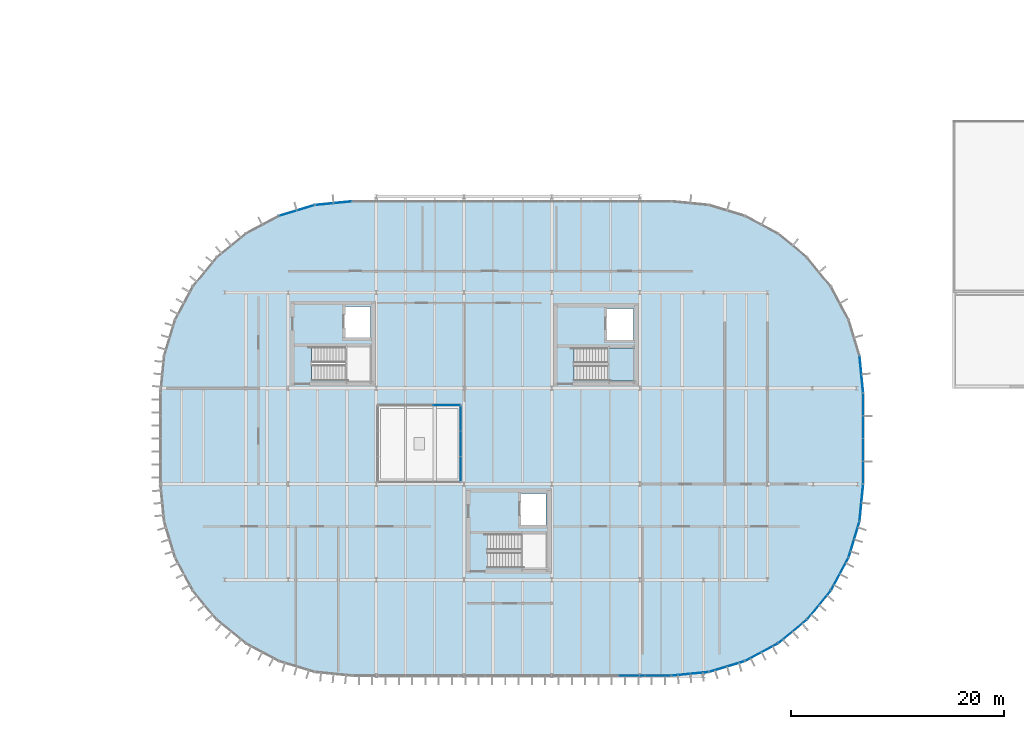
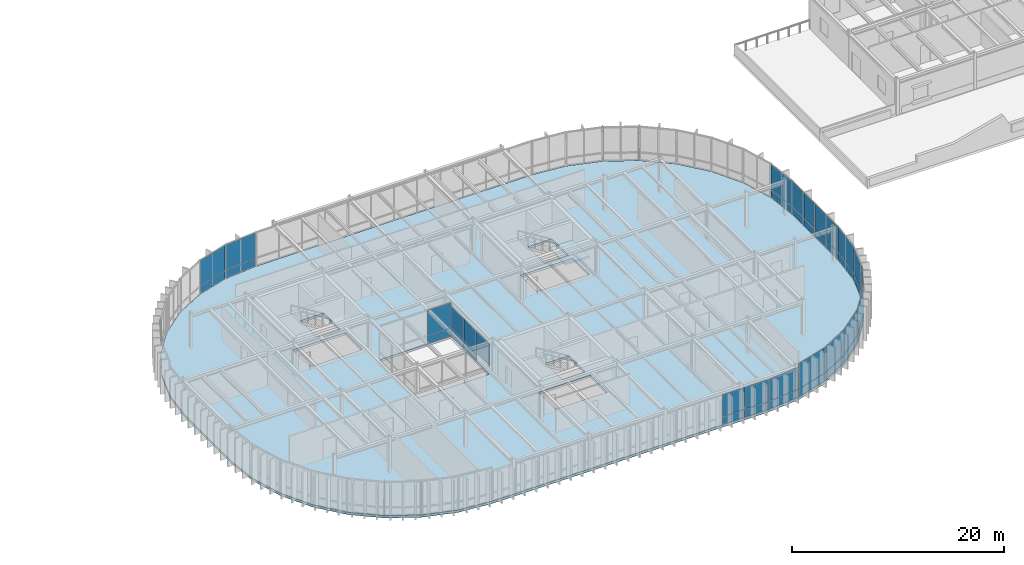
# One storey, part 18 of 31: 41 plates, 2 slabs, 6 openings, 16 elements without a shape of their own.
"""IFC4 building model written with IfcOpenShell, lengths in metres."""

from ifc_helpers import new_model, si_unit, direction, frame, origin, origin_2d, place, context, subcontext, project, spatial, polyline, rectangle, outline, extrude, material, layer, layer_set, type_object, element, aggregate, save


model = new_model("IFC4")

# Units and contexts
model_context = context("Model", 3, precision=1e-05, world=origin(), true_north=direction((0.0, 1.0)))
body_context = subcontext(model_context, "Body", "Model", "MODEL_VIEW")
ifc_project = project(units=[si_unit("LENGTHUNIT", "METRE"), si_unit("AREAUNIT", "SQUARE_METRE"), si_unit("VOLUMEUNIT", "CUBIC_METRE"), si_unit("PLANEANGLEUNIT", "RADIAN"), si_unit("MASSUNIT", "GRAM", prefix="KILO")], contexts=[model_context])

# Site, building, storey
site_placement = place(None, origin())
site = spatial("IfcSite", under=ifc_project, at=site_placement, CompositionType="ELEMENT")
building_placement = place(site_placement, origin())
building = spatial("IfcBuilding", under=site, at=building_placement, Name="Montealbar Specialist Clinic", CompositionType="ELEMENT")
storey_placement = place(building_placement, frame((0.0, 0.0, 13.800048828125)))
storey = spatial("IfcBuildingStorey", under=building, at=storey_placement, Name="L03", CompositionType="ELEMENT", Elevation=13.800048828125)

# Curtain wall, plates
ifc_material_1 = material(Name="Low-E double glazing", Category="glass")
ifc_layer_1 = layer(ifc_material_1, 0.199951171875, Name="Low-E double glazing", Category="glass")
ifc_layer_set_1 = layer_set([ifc_layer_1], Name="Low-E double glazing")
curtain_wall_type_1 = type_object("IfcCurtainWallType", Name="CW-TYPE-24", PredefinedType="NOTDEFINED", material=ifc_layer_set_1)
curtain_wall_1_placement = place(storey_placement, origin())
curtain_wall_1 = element("IfcCurtainWall", 1, at=curtain_wall_1_placement, inside=storey, type_object=curtain_wall_type_1, Name="Unitised Curtain Wall CW-L03-822-182-822-254-138", PredefinedType="NOTDEFINED")
ifc_layer_2 = layer(ifc_material_1, 0.028076171875, Name="Low-E double glazing", Category="glass")
ifc_layer_set_2 = layer_set([ifc_layer_2], Name="Low-E double glazing")
plate_type_1 = type_object("IfcPlateType", Name="CW-PNL-IGU28", PredefinedType="CURTAIN_PANEL", material=ifc_layer_set_2)
plate_1_placement = place(storey_placement, frame((82.199951171875, 19.39990234375, 0.97998046875), z_axis=(0.0, 0.0, 1.0), x_axis=(0.0, 1.0, 0.0)))
plate_1 = element("IfcPlate", 2, at=plate_1_placement, type_object=plate_type_1, Name="Glazed Curtain Panel CW-L03-822-182-822-254-138-1-2", PredefinedType="CURTAIN_PANEL", context=body_context, shape_type="SweptSolid", body=[
    extrude(rectangle(XDim=2.327880859375, YDim=0.028076171875, at=origin_2d()), origin(), (0.0, 0.0, 1.0), 2.489990234375),
])
plate_2_placement = place(storey_placement, frame((82.199951171875, 21.800048828125, 0.06982421875), z_axis=(0.0, 0.0, 1.0), x_axis=(0.0, 1.0, 0.0)))
plate_2 = element("IfcPlate", 3, at=plate_2_placement, type_object=plate_type_1, Name="Glazed Curtain Panel CW-L03-822-182-822-254-138-2-1", PredefinedType="CURTAIN_PANEL", context=body_context, shape_type="SweptSolid", body=[
    extrude(rectangle(XDim=2.327880859375, YDim=0.028076171875, at=origin_2d()), origin(), (0.0, 0.0, 1.0), 0.85009765625),
])
plate_3_placement = place(storey_placement, frame((82.199951171875, 21.800048828125, 0.97998046875), z_axis=(0.0, 0.0, 1.0), x_axis=(0.0, 1.0, 0.0)))
plate_3 = element("IfcPlate", 4, at=plate_3_placement, type_object=plate_type_1, Name="Glazed Curtain Panel CW-L03-822-182-822-254-138-2-2", PredefinedType="CURTAIN_PANEL", context=body_context, shape_type="SweptSolid", body=[
    extrude(rectangle(XDim=2.327880859375, YDim=0.028076171875, at=origin_2d()), origin(), (0.0, 0.0, 1.0), 2.489990234375),
])
plate_4_placement = place(storey_placement, frame((82.199951171875, 24.199951171875, 0.06982421875), z_axis=(0.0, 0.0, 1.0), x_axis=(0.0, 1.0, 0.0)))
plate_4 = element("IfcPlate", 5, at=plate_4_placement, type_object=plate_type_1, Name="Glazed Curtain Panel CW-L03-822-182-822-254-138-3-1", PredefinedType="CURTAIN_PANEL", context=body_context, shape_type="SweptSolid", body=[
    extrude(rectangle(XDim=2.327880859375, YDim=0.028076171875, at=origin_2d()), origin(), (0.0, 0.0, 1.0), 0.85009765625),
])
plate_5_placement = place(storey_placement, frame((82.199951171875, 24.199951171875, 0.97998046875), z_axis=(0.0, 0.0, 1.0), x_axis=(0.0, 1.0, 0.0)))
plate_5 = element("IfcPlate", 6, at=plate_5_placement, type_object=plate_type_1, Name="Glazed Curtain Panel CW-L03-822-182-822-254-138-3-2", PredefinedType="CURTAIN_PANEL", context=body_context, shape_type="SweptSolid", body=[
    extrude(rectangle(XDim=2.327880859375, YDim=0.028076171875, at=origin_2d()), origin(), (0.0, 0.0, 1.0), 2.489990234375),
])
aggregate(curtain_wall_1, [plate_1, plate_2, plate_3, plate_4, plate_5])

ifc_layer_3 = layer(ifc_material_1, 0.199951171875, Name="Low-E double glazing", Category="glass")
ifc_layer_set_3 = layer_set([ifc_layer_3], Name="Low-E double glazing")
curtain_wall_type_2 = type_object("IfcCurtainWallType", Name="CW-TYPE-25", PredefinedType="NOTDEFINED", material=ifc_layer_set_3)
curtain_wall_2_placement = place(storey_placement, origin())
curtain_wall_2 = element("IfcCurtainWall", 7, at=curtain_wall_2_placement, inside=storey, type_object=curtain_wall_type_2, Name="Unitised Curtain Wall CW-L03-822-254-744-254-138", PredefinedType="NOTDEFINED")
plate_6_placement = place(storey_placement, frame((80.89990234375, 25.39990234375, 0.06982421875), z_axis=(0.0, 0.0, 1.0), x_axis=(-1.0, 0.0, 0.0)))
plate_6 = element("IfcPlate", 8, at=plate_6_placement, type_object=plate_type_1, Name="Glazed Curtain Panel CW-L03-822-254-744-254-138-1-1", PredefinedType="CURTAIN_PANEL", context=body_context, shape_type="SweptSolid", body=[
    extrude(rectangle(XDim=2.528076171875, YDim=0.028076171875, at=origin_2d()), origin(), (0.0, 0.0, 1.0), 0.85009765625),
])
plate_7_placement = place(storey_placement, frame((80.89990234375, 25.39990234375, 0.97998046875), z_axis=(0.0, 0.0, 1.0), x_axis=(-1.0, 0.0, 0.0)))
plate_7 = element("IfcPlate", 9, at=plate_7_placement, type_object=plate_type_1, Name="Glazed Curtain Panel CW-L03-822-254-744-254-138-1-2", PredefinedType="CURTAIN_PANEL", context=body_context, shape_type="SweptSolid", body=[
    extrude(rectangle(XDim=2.528076171875, YDim=0.028076171875, at=origin_2d()), origin(), (0.0, 0.0, 1.0), 2.889892578125),
])
aggregate(curtain_wall_2, [plate_6, plate_7])

ifc_layer_4 = layer(ifc_material_1, 0.199951171875, Name="Low-E double glazing", Category="glass")
ifc_layer_set_4 = layer_set([ifc_layer_4], Name="Low-E double glazing")
curtain_wall_type_3 = type_object("IfcCurtainWallType", Name="CW-TYPE-19", PredefinedType="NOTDEFINED", material=ifc_layer_set_4)
curtain_wall_3_placement = place(storey_placement, origin())
curtain_wall_3 = element("IfcCurtainWall", 10, at=curtain_wall_3_placement, inside=storey, type_object=curtain_wall_type_3, Name="Unitised Curtain Wall CW-L03-651-432-685-442-138", PredefinedType="NOTDEFINED")
ifc_layer_5 = layer(ifc_material_1, 0.0380859375, Name="Low-E double glazing", Category="glass")
ifc_layer_set_5 = layer_set([ifc_layer_5], Name="Low-E double glazing")
plate_type_2 = type_object("IfcPlateType", Name="CW-PNL-IGU38", PredefinedType="CURTAIN_PANEL", material=ifc_layer_set_5)
plate_8_placement = place(storey_placement, frame((66.800048828125, 43.69189453125, 0.06982421875), z_axis=(0.0, 0.0, 1.0), x_axis=(0.956948083701, 0.290259134399, 0.0)))
plate_8 = element("IfcPlate", 11, at=plate_8_placement, type_object=plate_type_2, Name="Glazed Curtain Panel CW-L03-651-432-685-442-138-1-1", PredefinedType="CURTAIN_PANEL", context=body_context, shape_type="SweptSolid", body=[
    extrude(rectangle(XDim=3.444091796875, YDim=0.0380859375, at=origin_2d()), origin(), (0.0, 0.0, 1.0), 0.85009765625),
])
plate_9_placement = place(storey_placement, frame((66.800048828125, 43.69189453125, 0.97998046875), z_axis=(0.0, 0.0, 1.0), x_axis=(0.956948083701, 0.290259134399, 0.0)))
plate_9 = element("IfcPlate", 12, at=plate_9_placement, type_object=plate_type_2, Name="Glazed Curtain Panel CW-L03-651-432-685-442-138-1-2", PredefinedType="CURTAIN_PANEL", context=body_context, shape_type="SweptSolid", body=[
    extrude(rectangle(XDim=3.444091796875, YDim=0.0380859375, at=origin_2d()), origin(), (0.0, 0.0, 1.0), 2.889892578125),
])
aggregate(curtain_wall_3, [plate_8, plate_9])

curtain_wall_4_placement = place(storey_placement, origin())
curtain_wall_4 = element("IfcCurtainWall", 13, at=curtain_wall_4_placement, inside=storey, type_object=curtain_wall_type_3, Name="Unitised Curtain Wall CW-L03-685-442-720-446-138", PredefinedType="NOTDEFINED")
plate_10_placement = place(storey_placement, frame((70.243896484375, 44.376953125, 0.06982421875), z_axis=(0.0, 0.0, 1.0), x_axis=(0.995182012183, 0.098044697094, 0.0)))
plate_10 = element("IfcPlate", 14, at=plate_10_placement, type_object=plate_type_2, Name="Glazed Curtain Panel CW-L03-685-442-720-446-138-1-1", PredefinedType="CURTAIN_PANEL", context=body_context, shape_type="SweptSolid", body=[
    extrude(rectangle(XDim=3.445068359375, YDim=0.0380859375, at=origin_2d()), origin(), (0.0, 0.0, 1.0), 0.85009765625),
])
plate_11_placement = place(storey_placement, frame((70.243896484375, 44.376953125, 0.97998046875), z_axis=(0.0, 0.0, 1.0), x_axis=(0.995182012183, 0.098044697094, 0.0)))
plate_11 = element("IfcPlate", 15, at=plate_11_placement, type_object=plate_type_2, Name="Glazed Curtain Panel CW-L03-685-442-720-446-138-1-2", PredefinedType="CURTAIN_PANEL", context=body_context, shape_type="SweptSolid", body=[
    extrude(rectangle(XDim=3.445068359375, YDim=0.0380859375, at=origin_2d()), origin(), (0.0, 0.0, 1.0), 2.889892578125),
])
aggregate(curtain_wall_4, [plate_10, plate_11])

curtain_wall_5_placement = place(storey_placement, origin())
curtain_wall_5 = element("IfcCurtainWall", 16, at=curtain_wall_5_placement, inside=storey, type_object=curtain_wall_type_3, Name="Unitised Curtain Wall CW-L03-1197-301-1200-266-138", PredefinedType="NOTDEFINED")
plate_12_placement = place(storey_placement, frame((119.826904296875, 28.305908203125, 0.06982421875), z_axis=(0.0, 0.0, 1.0), x_axis=(0.098044697094, -0.995182012183, 0.0)))
plate_12 = element("IfcPlate", 17, at=plate_12_placement, type_object=plate_type_2, Name="Glazed Curtain Panel CW-L03-1197-301-1200-266-138-1-1", PredefinedType="CURTAIN_PANEL", context=body_context, shape_type="SweptSolid", body=[
    extrude(rectangle(XDim=3.445068359375, YDim=0.0380859375, at=origin_2d()), origin(), (0.0, 0.0, 1.0), 0.85009765625),
])
plate_13_placement = place(storey_placement, frame((119.826904296875, 28.305908203125, 0.97998046875), z_axis=(0.0, 0.0, 1.0), x_axis=(0.098044697094, -0.995182012183, 0.0)))
plate_13 = element("IfcPlate", 18, at=plate_13_placement, type_object=plate_type_2, Name="Glazed Curtain Panel CW-L03-1197-301-1200-266-138-1-2", PredefinedType="CURTAIN_PANEL", context=body_context, shape_type="SweptSolid", body=[
    extrude(rectangle(XDim=3.445068359375, YDim=0.0380859375, at=origin_2d()), origin(), (0.0, 0.0, 1.0), 2.889892578125),
])
aggregate(curtain_wall_5, [plate_12, plate_13])

ifc_layer_6 = layer(ifc_material_1, 0.199951171875, Name="Low-E double glazing", Category="glass")
ifc_layer_set_6 = layer_set([ifc_layer_6], Name="Low-E double glazing")
curtain_wall_type_4 = type_object("IfcCurtainWallType", Name="CW-TYPE-21", PredefinedType="NOTDEFINED", material=ifc_layer_set_6)
curtain_wall_6_placement = place(storey_placement, origin())
curtain_wall_6 = element("IfcCurtainWall", 19, at=curtain_wall_6_placement, inside=storey, type_object=curtain_wall_type_4, Name="Unitised Curtain Wall CW-L03-1200-266-1200-180-138", PredefinedType="NOTDEFINED")
plate_14_placement = place(storey_placement, frame((120.0, 25.48095703125, 0.06982421875), z_axis=(0.0, 0.0, 1.0), x_axis=(0.0, -1.0, 0.0)))
plate_14 = element("IfcPlate", 20, at=plate_14_placement, type_object=plate_type_2, Name="Glazed Curtain Panel CW-L03-1200-266-1200-180-138-1-1", PredefinedType="CURTAIN_PANEL", context=body_context, shape_type="SweptSolid", body=[
    extrude(rectangle(XDim=2.053955078125, YDim=0.0380859375, at=origin_2d()), origin(), (0.0, 0.0, 1.0), 0.85009765625),
])
plate_15_placement = place(storey_placement, frame((120.0, 25.48095703125, 0.97998046875), z_axis=(0.0, 0.0, 1.0), x_axis=(0.0, -1.0, 0.0)))
plate_15 = element("IfcPlate", 21, at=plate_15_placement, type_object=plate_type_2, Name="Glazed Curtain Panel CW-L03-1200-266-1200-180-138-1-2", PredefinedType="CURTAIN_PANEL", context=body_context, shape_type="SweptSolid", body=[
    extrude(rectangle(XDim=2.053955078125, YDim=0.0380859375, at=origin_2d()), origin(), (0.0, 0.0, 1.0), 2.889892578125),
])
plate_16_placement = place(storey_placement, frame((120.0, 23.343994140625, 0.06982421875), z_axis=(0.0, 0.0, 1.0), x_axis=(0.0, -1.0, 0.0)))
plate_16 = element("IfcPlate", 22, at=plate_16_placement, type_object=plate_type_2, Name="Glazed Curtain Panel CW-L03-1200-266-1200-180-138-2-1", PredefinedType="CURTAIN_PANEL", context=body_context, shape_type="SweptSolid", body=[
    extrude(rectangle(XDim=2.053955078125, YDim=0.0380859375, at=origin_2d()), origin(), (0.0, 0.0, 1.0), 0.85009765625),
])
plate_17_placement = place(storey_placement, frame((120.0, 23.343994140625, 0.97998046875), z_axis=(0.0, 0.0, 1.0), x_axis=(0.0, -1.0, 0.0)))
plate_17 = element("IfcPlate", 23, at=plate_17_placement, type_object=plate_type_2, Name="Glazed Curtain Panel CW-L03-1200-266-1200-180-138-2-2", PredefinedType="CURTAIN_PANEL", context=body_context, shape_type="SweptSolid", body=[
    extrude(rectangle(XDim=2.053955078125, YDim=0.0380859375, at=origin_2d()), origin(), (0.0, 0.0, 1.0), 2.889892578125),
])
plate_18_placement = place(storey_placement, frame((120.0, 21.2060546875, 0.06982421875), z_axis=(0.0, 0.0, 1.0), x_axis=(0.0, -1.0, 0.0)))
plate_18 = element("IfcPlate", 24, at=plate_18_placement, type_object=plate_type_2, Name="Glazed Curtain Panel CW-L03-1200-266-1200-180-138-3-1", PredefinedType="CURTAIN_PANEL", context=body_context, shape_type="SweptSolid", body=[
    extrude(rectangle(XDim=2.053955078125, YDim=0.0380859375, at=origin_2d()), origin(), (0.0, 0.0, 1.0), 0.85009765625),
])
plate_19_placement = place(storey_placement, frame((120.0, 21.2060546875, 0.97998046875), z_axis=(0.0, 0.0, 1.0), x_axis=(0.0, -1.0, 0.0)))
plate_19 = element("IfcPlate", 25, at=plate_19_placement, type_object=plate_type_2, Name="Glazed Curtain Panel CW-L03-1200-266-1200-180-138-3-2", PredefinedType="CURTAIN_PANEL", context=body_context, shape_type="SweptSolid", body=[
    extrude(rectangle(XDim=2.053955078125, YDim=0.0380859375, at=origin_2d()), origin(), (0.0, 0.0, 1.0), 2.889892578125),
])
plate_20_placement = place(storey_placement, frame((120.0, 19.069091796875, 0.06982421875), z_axis=(0.0, 0.0, 1.0), x_axis=(0.0, -1.0, 0.0)))
plate_20 = element("IfcPlate", 26, at=plate_20_placement, type_object=plate_type_2, Name="Glazed Curtain Panel CW-L03-1200-266-1200-180-138-4-1", PredefinedType="CURTAIN_PANEL", context=body_context, shape_type="SweptSolid", body=[
    extrude(rectangle(XDim=2.053955078125, YDim=0.0380859375, at=origin_2d()), origin(), (0.0, 0.0, 1.0), 0.85009765625),
])
plate_21_placement = place(storey_placement, frame((120.0, 19.069091796875, 0.97998046875), z_axis=(0.0, 0.0, 1.0), x_axis=(0.0, -1.0, 0.0)))
plate_21 = element("IfcPlate", 27, at=plate_21_placement, type_object=plate_type_2, Name="Glazed Curtain Panel CW-L03-1200-266-1200-180-138-4-2", PredefinedType="CURTAIN_PANEL", context=body_context, shape_type="SweptSolid", body=[
    extrude(rectangle(XDim=2.053955078125, YDim=0.0380859375, at=origin_2d()), origin(), (0.0, 0.0, 1.0), 2.889892578125),
])
aggregate(curtain_wall_6, [plate_14, plate_15, plate_16, plate_17, plate_18, plate_19, plate_20, plate_21])

curtain_wall_7_placement = place(storey_placement, origin())
curtain_wall_7 = element("IfcCurtainWall", 28, at=curtain_wall_7_placement, inside=storey, type_object=curtain_wall_type_3, Name="Unitised Curtain Wall CW-L03-1200-180-1197-145-138", PredefinedType="NOTDEFINED")
plate_22_placement = place(storey_placement, frame((119.826904296875, 16.243896484375, 0.06982421875), z_axis=(0.0, 0.0, 1.0), x_axis=(-0.098044697094, -0.995182012183, 0.0)))
plate_22 = element("IfcPlate", 29, at=plate_22_placement, type_object=plate_type_2, Name="Glazed Curtain Panel CW-L03-1200-180-1197-145-138-1-1", PredefinedType="CURTAIN_PANEL", context=body_context, shape_type="SweptSolid", body=[
    extrude(rectangle(XDim=3.445068359375, YDim=0.0380859375, at=origin_2d()), origin(), (0.0, 0.0, 1.0), 0.85009765625),
])
plate_23_placement = place(storey_placement, frame((119.826904296875, 16.243896484375, 0.97998046875), z_axis=(0.0, 0.0, 1.0), x_axis=(-0.098044697094, -0.995182012183, 0.0)))
plate_23 = element("IfcPlate", 30, at=plate_23_placement, type_object=plate_type_2, Name="Glazed Curtain Panel CW-L03-1200-180-1197-145-138-1-2", PredefinedType="CURTAIN_PANEL", context=body_context, shape_type="SweptSolid", body=[
    extrude(rectangle(XDim=3.445068359375, YDim=0.0380859375, at=origin_2d()), origin(), (0.0, 0.0, 1.0), 2.889892578125),
])
aggregate(curtain_wall_7, [plate_22, plate_23])

curtain_wall_8_placement = place(storey_placement, origin())
curtain_wall_8 = element("IfcCurtainWall", 31, at=curtain_wall_8_placement, inside=storey, type_object=curtain_wall_type_3, Name="Unitised Curtain Wall CW-L03-1197-145-1186-111-138", PredefinedType="NOTDEFINED")
plate_24_placement = place(storey_placement, frame((119.14208984375, 12.800048828125, 0.06982421875), z_axis=(0.0, 0.0, 1.0), x_axis=(-0.290259134399, -0.956948083701, 0.0)))
plate_24 = element("IfcPlate", 32, at=plate_24_placement, type_object=plate_type_2, Name="Glazed Curtain Panel CW-L03-1197-145-1186-111-138-1-1", PredefinedType="CURTAIN_PANEL", context=body_context, shape_type="SweptSolid", body=[
    extrude(rectangle(XDim=3.444091796875, YDim=0.0380859375, at=origin_2d()), origin(), (0.0, 0.0, 1.0), 0.85009765625),
])
plate_25_placement = place(storey_placement, frame((119.14208984375, 12.800048828125, 0.97998046875), z_axis=(0.0, 0.0, 1.0), x_axis=(-0.290259134399, -0.956948083701, 0.0)))
plate_25 = element("IfcPlate", 33, at=plate_25_placement, type_object=plate_type_2, Name="Glazed Curtain Panel CW-L03-1197-145-1186-111-138-1-2", PredefinedType="CURTAIN_PANEL", context=body_context, shape_type="SweptSolid", body=[
    extrude(rectangle(XDim=3.444091796875, YDim=0.0380859375, at=origin_2d()), origin(), (0.0, 0.0, 1.0), 2.889892578125),
])
aggregate(curtain_wall_8, [plate_24, plate_25])

curtain_wall_9_placement = place(storey_placement, origin())
curtain_wall_9 = element("IfcCurtainWall", 34, at=curtain_wall_9_placement, inside=storey, type_object=curtain_wall_type_3, Name="Unitised Curtain Wall CW-L03-1186-111-1170-80-138", PredefinedType="NOTDEFINED")
plate_26_placement = place(storey_placement, frame((117.798095703125, 9.555908203125, 0.06982421875), z_axis=(0.0, 0.0, 1.0), x_axis=(-0.471529268958, -0.881850411644, 0.0)))
plate_26 = element("IfcPlate", 35, at=plate_26_placement, type_object=plate_type_2, Name="Glazed Curtain Panel CW-L03-1186-111-1170-80-138-1-1", PredefinedType="CURTAIN_PANEL", context=body_context, shape_type="SweptSolid", body=[
    extrude(rectangle(XDim=3.445068359375, YDim=0.0380859375, at=origin_2d()), origin(), (0.0, 0.0, 1.0), 0.85009765625),
])
plate_27_placement = place(storey_placement, frame((117.798095703125, 9.555908203125, 0.97998046875), z_axis=(0.0, 0.0, 1.0), x_axis=(-0.471529268958, -0.881850411644, 0.0)))
plate_27 = element("IfcPlate", 36, at=plate_27_placement, type_object=plate_type_2, Name="Glazed Curtain Panel CW-L03-1186-111-1170-80-138-1-2", PredefinedType="CURTAIN_PANEL", context=body_context, shape_type="SweptSolid", body=[
    extrude(rectangle(XDim=3.445068359375, YDim=0.0380859375, at=origin_2d()), origin(), (0.0, 0.0, 1.0), 2.889892578125),
])
aggregate(curtain_wall_9, [plate_26, plate_27])

curtain_wall_10_placement = place(storey_placement, origin())
curtain_wall_10 = element("IfcCurtainWall", 37, at=curtain_wall_10_placement, inside=storey, type_object=curtain_wall_type_3, Name="Unitised Curtain Wall CW-L03-1170-80-1147-53-138", PredefinedType="NOTDEFINED")
plate_28_placement = place(storey_placement, frame((115.846923828125, 6.635986328125, 0.06982421875), z_axis=(0.0, 0.0, 1.0), x_axis=(-0.634255808922, -0.773123255923, 0.0)))
plate_28 = element("IfcPlate", 38, at=plate_28_placement, type_object=plate_type_2, Name="Glazed Curtain Panel CW-L03-1170-80-1147-53-138-1-1", PredefinedType="CURTAIN_PANEL", context=body_context, shape_type="SweptSolid", body=[
    extrude(rectangle(XDim=3.445068359375, YDim=0.0380859375, at=origin_2d()), origin(), (0.0, 0.0, 1.0), 0.85009765625),
])
plate_29_placement = place(storey_placement, frame((115.846923828125, 6.635986328125, 0.97998046875), z_axis=(0.0, 0.0, 1.0), x_axis=(-0.634255808922, -0.773123255923, 0.0)))
plate_29 = element("IfcPlate", 39, at=plate_29_placement, type_object=plate_type_2, Name="Glazed Curtain Panel CW-L03-1170-80-1147-53-138-1-2", PredefinedType="CURTAIN_PANEL", context=body_context, shape_type="SweptSolid", body=[
    extrude(rectangle(XDim=3.445068359375, YDim=0.0380859375, at=origin_2d()), origin(), (0.0, 0.0, 1.0), 2.889892578125),
])
aggregate(curtain_wall_10, [plate_28, plate_29])

curtain_wall_11_placement = place(storey_placement, origin())
curtain_wall_11 = element("IfcCurtainWall", 40, at=curtain_wall_11_placement, inside=storey, type_object=curtain_wall_type_3, Name="Unitised Curtain Wall CW-L03-1147-53-1120-30-138", PredefinedType="NOTDEFINED")
plate_30_placement = place(storey_placement, frame((113.364013671875, 4.153076171875, 0.06982421875), z_axis=(0.0, 0.0, 1.0), x_axis=(-0.773123255923, -0.634255808922, 0.0)))
plate_30 = element("IfcPlate", 41, at=plate_30_placement, type_object=plate_type_2, Name="Glazed Curtain Panel CW-L03-1147-53-1120-30-138-1-1", PredefinedType="CURTAIN_PANEL", context=body_context, shape_type="SweptSolid", body=[
    extrude(rectangle(XDim=3.445068359375, YDim=0.0380859375, at=origin_2d()), origin(), (0.0, 0.0, 1.0), 0.85009765625),
])
plate_31_placement = place(storey_placement, frame((113.364013671875, 4.153076171875, 0.97998046875), z_axis=(0.0, 0.0, 1.0), x_axis=(-0.773123255923, -0.634255808922, 0.0)))
plate_31 = element("IfcPlate", 42, at=plate_31_placement, type_object=plate_type_2, Name="Glazed Curtain Panel CW-L03-1147-53-1120-30-138-1-2", PredefinedType="CURTAIN_PANEL", context=body_context, shape_type="SweptSolid", body=[
    extrude(rectangle(XDim=3.445068359375, YDim=0.0380859375, at=origin_2d()), origin(), (0.0, 0.0, 1.0), 2.889892578125),
])
aggregate(curtain_wall_11, [plate_30, plate_31])

curtain_wall_12_placement = place(storey_placement, origin())
curtain_wall_12 = element("IfcCurtainWall", 43, at=curtain_wall_12_placement, inside=storey, type_object=curtain_wall_type_3, Name="Unitised Curtain Wall CW-L03-1120-30-1089-14-138", PredefinedType="NOTDEFINED")
plate_32_placement = place(storey_placement, frame((110.444091796875, 2.201904296875, 0.06982421875), z_axis=(0.0, 0.0, 1.0), x_axis=(-0.881850411644, -0.471529268958, 0.0)))
plate_32 = element("IfcPlate", 44, at=plate_32_placement, type_object=plate_type_2, Name="Glazed Curtain Panel CW-L03-1120-30-1089-14-138-1-1", PredefinedType="CURTAIN_PANEL", context=body_context, shape_type="SweptSolid", body=[
    extrude(rectangle(XDim=3.445068359375, YDim=0.0380859375, at=origin_2d()), origin(), (0.0, 0.0, 1.0), 0.85009765625),
])
plate_33_placement = place(storey_placement, frame((110.444091796875, 2.201904296875, 0.97998046875), z_axis=(0.0, 0.0, 1.0), x_axis=(-0.881850411644, -0.471529268958, 0.0)))
plate_33 = element("IfcPlate", 45, at=plate_33_placement, type_object=plate_type_2, Name="Glazed Curtain Panel CW-L03-1120-30-1089-14-138-1-2", PredefinedType="CURTAIN_PANEL", context=body_context, shape_type="SweptSolid", body=[
    extrude(rectangle(XDim=3.445068359375, YDim=0.0380859375, at=origin_2d()), origin(), (0.0, 0.0, 1.0), 2.889892578125),
])
aggregate(curtain_wall_12, [plate_32, plate_33])

curtain_wall_13_placement = place(storey_placement, origin())
curtain_wall_13 = element("IfcCurtainWall", 46, at=curtain_wall_13_placement, inside=storey, type_object=curtain_wall_type_3, Name="Unitised Curtain Wall CW-L03-1089-14-1055-3-138", PredefinedType="NOTDEFINED")
plate_34_placement = place(storey_placement, frame((107.199951171875, 0.85791015625, 0.06982421875), z_axis=(0.0, 0.0, 1.0), x_axis=(-0.956948083701, -0.290259134399, 0.0)))
plate_34 = element("IfcPlate", 47, at=plate_34_placement, type_object=plate_type_2, Name="Glazed Curtain Panel CW-L03-1089-14-1055-3-138-1-1", PredefinedType="CURTAIN_PANEL", context=body_context, shape_type="SweptSolid", body=[
    extrude(rectangle(XDim=3.444091796875, YDim=0.0380859375, at=origin_2d()), origin(), (0.0, 0.0, 1.0), 0.85009765625),
])
plate_35_placement = place(storey_placement, frame((107.199951171875, 0.85791015625, 0.97998046875), z_axis=(0.0, 0.0, 1.0), x_axis=(-0.956948083701, -0.290259134399, 0.0)))
plate_35 = element("IfcPlate", 48, at=plate_35_placement, type_object=plate_type_2, Name="Glazed Curtain Panel CW-L03-1089-14-1055-3-138-1-2", PredefinedType="CURTAIN_PANEL", context=body_context, shape_type="SweptSolid", body=[
    extrude(rectangle(XDim=3.444091796875, YDim=0.0380859375, at=origin_2d()), origin(), (0.0, 0.0, 1.0), 2.889892578125),
])
aggregate(curtain_wall_13, [plate_34, plate_35])

ifc_layer_7 = layer(ifc_material_1, 0.199951171875, Name="Low-E double glazing", Category="glass")
ifc_layer_set_7 = layer_set([ifc_layer_7], Name="Low-E double glazing")
curtain_wall_type_5 = type_object("IfcCurtainWallType", Name="CW-TYPE-18", PredefinedType="NOTDEFINED", material=ifc_layer_set_7)
curtain_wall_14_placement = place(storey_placement, origin())
curtain_wall_14 = element("IfcCurtainWall", 49, at=curtain_wall_14_placement, inside=storey, type_object=curtain_wall_type_5, Name="Unitised Curtain Wall CW-L03-1055-3-1020-0-138", PredefinedType="NOTDEFINED")
plate_36_placement = place(storey_placement, frame((103.756103515625, 0.173095703125, 0.06982421875), z_axis=(0.0, 0.0, 1.0), x_axis=(-0.995182012183, -0.098044697094, 0.0)))
plate_36 = element("IfcPlate", 50, at=plate_36_placement, type_object=plate_type_2, Name="Glazed Curtain Panel CW-L03-1055-3-1020-0-138-1-1", PredefinedType="CURTAIN_PANEL", context=body_context, shape_type="SweptSolid", body=[
    extrude(rectangle(XDim=3.445068359375, YDim=0.0380859375, at=origin_2d()), origin(), (0.0, 0.0, 1.0), 0.85009765625),
])
plate_37_placement = place(storey_placement, frame((103.756103515625, 0.173095703125, 0.97998046875), z_axis=(0.0, 0.0, 1.0), x_axis=(-0.995182012183, -0.098044697094, 0.0)))
plate_37 = element("IfcPlate", 51, at=plate_37_placement, type_object=plate_type_2, Name="Glazed Curtain Panel CW-L03-1055-3-1020-0-138-1-2", PredefinedType="CURTAIN_PANEL", context=body_context, shape_type="SweptSolid", body=[
    extrude(rectangle(XDim=3.445068359375, YDim=0.0380859375, at=origin_2d()), origin(), (0.0, 0.0, 1.0), 2.489990234375),
])
aggregate(curtain_wall_14, [plate_36, plate_37])

ifc_layer_8 = layer(ifc_material_1, 0.199951171875, Name="Low-E double glazing", Category="glass")
ifc_layer_set_8 = layer_set([ifc_layer_8], Name="Low-E double glazing")
curtain_wall_type_6 = type_object("IfcCurtainWallType", Name="CW-TYPE-22", PredefinedType="NOTDEFINED", material=ifc_layer_set_8)
curtain_wall_15_placement = place(storey_placement, origin())
curtain_wall_15 = element("IfcCurtainWall", 52, at=curtain_wall_15_placement, inside=storey, type_object=curtain_wall_type_6, Name="Unitised Curtain Wall CW-L03-1020-0-920-0-138", PredefinedType="NOTDEFINED")
plate_38_placement = place(storey_placement, frame((100.75, 0.0, 0.06982421875), z_axis=(0.0, 0.0, 1.0), x_axis=(-1.0, 0.0, 0.0)))
plate_38 = element("IfcPlate", 53, at=plate_38_placement, type_object=plate_type_2, Name="Glazed Curtain Panel CW-L03-1020-0-920-0-138-1-1", PredefinedType="CURTAIN_PANEL", context=body_context, shape_type="SweptSolid", body=[
    extrude(rectangle(XDim=2.416015625, YDim=0.0380859375, at=origin_2d()), origin(), (0.0, 0.0, 1.0), 0.85009765625),
])
plate_39_placement = place(storey_placement, frame((100.75, 0.0, 0.97998046875), z_axis=(0.0, 0.0, 1.0), x_axis=(-1.0, 0.0, 0.0)))
plate_39 = element("IfcPlate", 54, at=plate_39_placement, type_object=plate_type_2, Name="Glazed Curtain Panel CW-L03-1020-0-920-0-138-1-2", PredefinedType="CURTAIN_PANEL", context=body_context, shape_type="SweptSolid", body=[
    extrude(rectangle(XDim=2.416015625, YDim=0.0380859375, at=origin_2d()), origin(), (0.0, 0.0, 1.0), 2.489990234375),
])
plate_40_placement = place(storey_placement, frame((98.25, 0.0, 0.06982421875), z_axis=(0.0, 0.0, 1.0), x_axis=(-1.0, 0.0, 0.0)))
plate_40 = element("IfcPlate", 55, at=plate_40_placement, type_object=plate_type_2, Name="Glazed Curtain Panel CW-L03-1020-0-920-0-138-2-1", PredefinedType="CURTAIN_PANEL", context=body_context, shape_type="SweptSolid", body=[
    extrude(rectangle(XDim=2.416015625, YDim=0.0380859375, at=origin_2d()), origin(), (0.0, 0.0, 1.0), 0.85009765625),
])
plate_41_placement = place(storey_placement, frame((98.25, 0.0, 0.97998046875), z_axis=(0.0, 0.0, 1.0), x_axis=(-1.0, 0.0, 0.0)))
plate_41 = element("IfcPlate", 56, at=plate_41_placement, type_object=plate_type_2, Name="Glazed Curtain Panel CW-L03-1020-0-920-0-138-2-2", PredefinedType="CURTAIN_PANEL", context=body_context, shape_type="SweptSolid", body=[
    extrude(rectangle(XDim=2.416015625, YDim=0.0380859375, at=origin_2d()), origin(), (0.0, 0.0, 1.0), 2.489990234375),
])
aggregate(curtain_wall_15, [plate_38, plate_39, plate_40, plate_41])

# Slab, openings
ifc_material_2 = material(Name="Concrete C35/45", Category="concrete")
ifc_layer_9 = layer(ifc_material_2, 0.27001953125, Name="Concrete C35/45", Category="concrete")
ifc_layer_set_9 = layer_set([ifc_layer_9], Name="Concrete C35/45")
slab_type_1 = type_object("IfcSlabType", Name="SL-FLR-220", PredefinedType="FLOOR", material=ifc_layer_set_9)
slab_1_placement = place(storey_placement, frame((0.0, 0.0, -0.27001953125)))
slab_1 = element("IfcSlab", 57, at=slab_1_placement, inside=storey, type_object=slab_type_1, Name="Structural Slab L03 Wing 2", PredefinedType="FLOOR", context=body_context, shape_type="SweptSolid", body=[
    extrude(outline(polyline([(54.345947265625, 30.06201171875), (55.3701171875, 33.43798828125), (57.033935546875, 36.550048828125), (59.27197265625, 39.278076171875), (62.0, 41.51611328125), (65.112060546875, 43.179931640625), (68.488037109375, 44.2041015625), (72.0, 44.550048828125), (102.0, 44.550048828125), (105.511962890625, 44.2041015625), (108.887939453125, 43.179931640625), (112.0, 41.51611328125), (114.72802734375, 39.278076171875), (116.966064453125, 36.550048828125), (118.6298828125, 33.43798828125), (119.654052734375, 30.06201171875), (120.0, 26.550048828125), (120.0, 18.0), (119.654052734375, 14.488037109375), (118.6298828125, 11.112060546875), (116.966064453125, 8.0), (114.72802734375, 5.27197265625), (112.0, 3.033935546875), (108.887939453125, 1.3701171875), (105.511962890625, 0.345947265625), (102.0, 0.0), (72.0, 0.0), (68.488037109375, 0.345947265625), (65.112060546875, 1.3701171875), (62.0, 3.033935546875), (59.27197265625, 5.27197265625), (57.033935546875, 8.0), (55.3701171875, 11.112060546875), (54.345947265625, 14.488037109375), (54.0, 18.0), (54.0, 26.550048828125), (54.345947265625, 30.06201171875)]), holes=[polyline([(82.199951171875, 25.39990234375), (74.39990234375, 25.39990234375), (74.39990234375, 18.199951171875), (82.199951171875, 18.199951171875), (82.199951171875, 25.39990234375)]), polyline([(84.699951171875, 13.300048828125), (84.699951171875, 10.10009765625), (90.35009765625, 10.10009765625), (90.35009765625, 13.300048828125), (84.699951171875, 13.300048828125)]), polyline([(87.697998046875, 17.10205078125), (87.697998046875, 13.998046875), (90.201904296875, 13.998046875), (90.201904296875, 17.10205078125), (87.697998046875, 17.10205078125)]), polyline([(92.85009765625, 30.800048828125), (92.85009765625, 27.699951171875), (98.550048828125, 27.699951171875), (98.550048828125, 30.800048828125), (92.85009765625, 30.800048828125)]), polyline([(68.199951171875, 30.89990234375), (68.199951171875, 27.699951171875), (73.85009765625, 27.699951171875), (73.85009765625, 30.89990234375), (68.199951171875, 30.89990234375)]), polyline([(95.798095703125, 34.501953125), (95.798095703125, 31.39794921875), (98.402099609375, 31.39794921875), (98.402099609375, 34.501953125), (95.798095703125, 34.501953125)]), polyline([(71.197998046875, 34.701904296875), (71.197998046875, 31.597900390625), (73.701904296875, 31.597900390625), (73.701904296875, 34.701904296875), (71.197998046875, 34.701904296875)])]), origin(), (0.0, 0.0, 1.0), 0.27001953125),
])
opening_1_placement = place(slab_1_placement, frame((71.02490234375, 29.2998046875, -0.010009765625)))
element("IfcOpeningElement", 58, at=opening_1_placement, cuts=slab_1, Name="Opening STAIRVOID-C3-L03-1", PredefinedType="OPENING", context=body_context, shape_type="SweptSolid", body=[
    extrude(rectangle(XDim=5.646240234375, YDim=3.196044921875, at=origin_2d()), origin(), (0.0, 0.0, 1.0), 0.2900390625),
])
opening_2_placement = place(slab_1_placement, frame((72.449951171875, 33.14990234375, -0.010009765625)))
element("IfcOpeningElement", 59, at=opening_2_placement, cuts=slab_1, Name="Opening LIFTSHAFT-FL-01-L03", PredefinedType="OPENING", context=body_context, shape_type="SweptSolid", body=[
    extrude(rectangle(XDim=2.5, YDim=3.10009765625, at=origin_2d()), origin(), (0.0, 0.0, 1.0), 0.2900390625),
])
opening_3_placement = place(slab_1_placement, frame((87.52490234375, 11.7001953125, -0.010009765625)))
element("IfcOpeningElement", 60, at=opening_3_placement, cuts=slab_1, Name="Opening STAIRVOID-C4-L03-1", PredefinedType="OPENING", context=body_context, shape_type="SweptSolid", body=[
    extrude(rectangle(XDim=5.646240234375, YDim=3.196044921875, at=origin_2d()), origin(), (0.0, 0.0, 1.0), 0.2900390625),
])
opening_4_placement = place(slab_1_placement, frame((88.949951171875, 15.550048828125, -0.010009765625)))
element("IfcOpeningElement", 61, at=opening_4_placement, cuts=slab_1, Name="Opening LIFTSHAFT-FL-02-L03", PredefinedType="OPENING", context=body_context, shape_type="SweptSolid", body=[
    extrude(rectangle(XDim=2.5, YDim=3.10009765625, at=origin_2d()), origin(), (0.0, 0.0, 1.0), 0.2900390625),
])
opening_5_placement = place(slab_1_placement, frame((95.7001953125, 29.25, -0.010009765625)))
element("IfcOpeningElement", 62, at=opening_5_placement, cuts=slab_1, Name="Opening STAIRVOID-C5-L03-1", PredefinedType="OPENING", context=body_context, shape_type="SweptSolid", body=[
    extrude(rectangle(XDim=5.696044921875, YDim=3.09619140625, at=origin_2d()), origin(), (0.0, 0.0, 1.0), 0.2900390625),
])
opening_6_placement = place(slab_1_placement, frame((97.10009765625, 32.949951171875, -0.010009765625)))
element("IfcOpeningElement", 63, at=opening_6_placement, cuts=slab_1, Name="Opening LIFTSHAFT-LF-03-L03", PredefinedType="OPENING", context=body_context, shape_type="SweptSolid", body=[
    extrude(rectangle(XDim=2.60009765625, YDim=3.10009765625, at=origin_2d()), origin(), (0.0, 0.0, 1.0), 0.2900390625),
])

# Stair, slab
stair_type = type_object("IfcStairType", Name="STAIR-HT-08", PredefinedType="HALF_TURN_STAIR", material=ifc_material_2)
stair_placement = place(storey_placement, origin())
stair = element("IfcStair", 64, at=stair_placement, inside=storey, type_object=stair_type, Name="L03 Protected Exit Stair Core C5", PredefinedType="HALF_TURN_STAIR")
ifc_layer_10 = layer(ifc_material_2, 0.199951171875, Name="Concrete C35/45", Category="concrete")
ifc_layer_set_10 = layer_set([ifc_layer_10], Name="Concrete C35/45")
slab_type_2 = type_object("IfcSlabType", Name="SL-STAIR-LAND-200", PredefinedType="LANDING", material=ifc_layer_set_10)
slab_2_placement = place(storey_placement, frame((0.0, 0.0, 1.89990234375)))
slab_2 = element("IfcSlab", 65, at=slab_2_placement, type_object=slab_type_2, Name="ST-05 landing 1", PredefinedType="LANDING", context=body_context, shape_type="SweptSolid", body=[
    extrude(outline(polyline([(95.985107421875, 27.699951171875), (98.550048828125, 27.699951171875), (98.550048828125, 30.800048828125), (95.985107421875, 30.800048828125), (95.985107421875, 27.699951171875)])), origin(), (0.0, 0.0, 1.0), 0.199951171875),
])
aggregate(stair, [slab_2])

save(model, "model.ifc")
